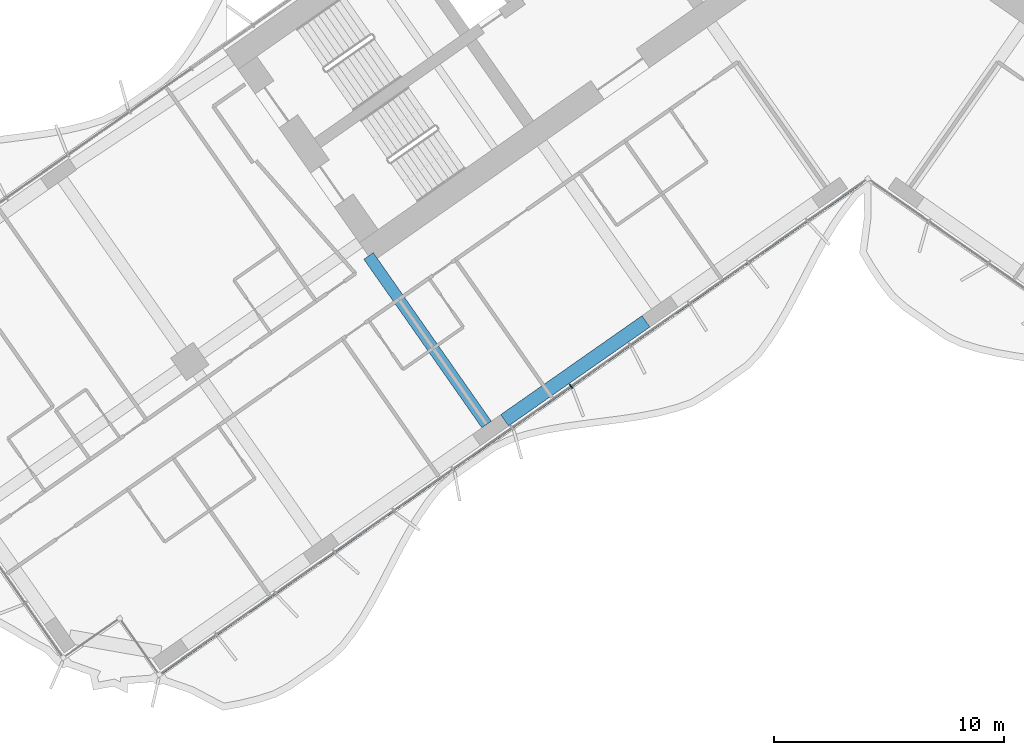
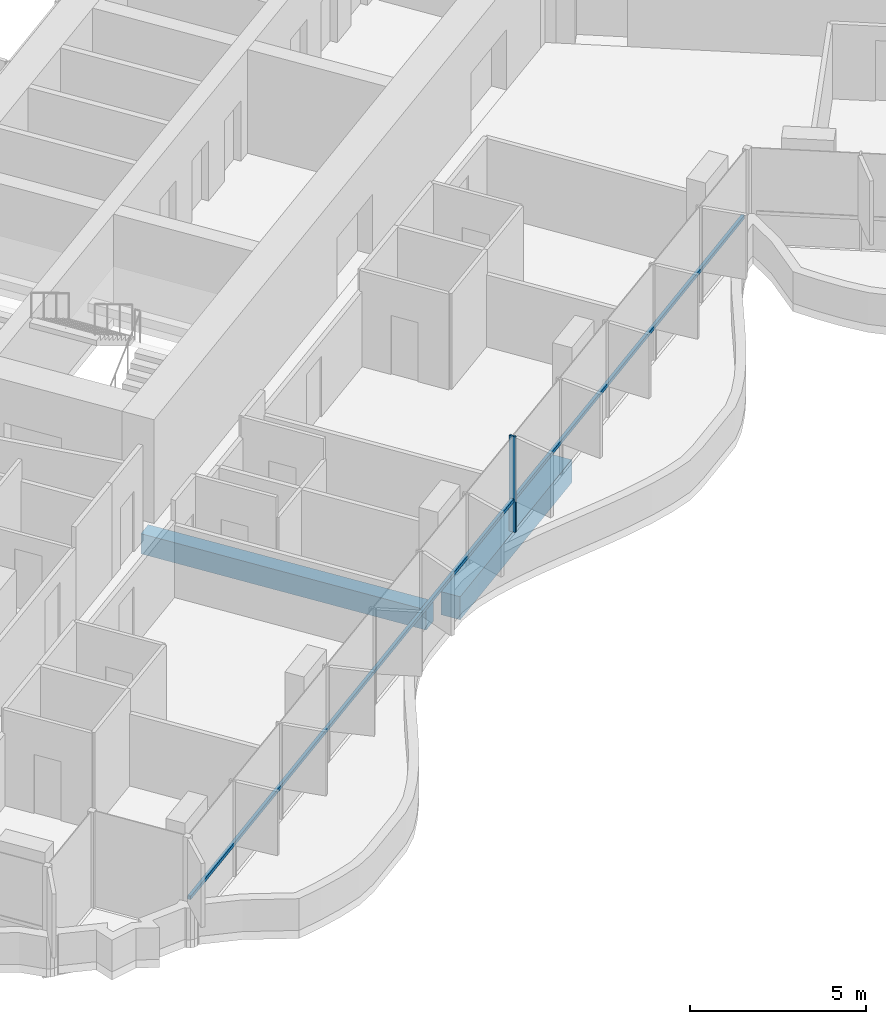
# One storey, part 3 of 23: 2 beams, 2 members, 1 element without a shape of its own.
"""IFC4 building model written with IfcOpenShell, lengths in metres."""

from ifc_helpers import new_model, si_unit, direction, frame, origin, origin_2d, place, context, subcontext, project, spatial, rectangle, extrude, material, material_profile, profile_set, type_object, element, aggregate, save


model = new_model("IFC4")

# Units and contexts
model_context = context("Model", 3, precision=1e-05, world=origin(), true_north=direction((0.0, 1.0)))
body_context = subcontext(model_context, "Body", "Model", "MODEL_VIEW")
ifc_project = project(units=[si_unit("LENGTHUNIT", "METRE"), si_unit("AREAUNIT", "SQUARE_METRE"), si_unit("VOLUMEUNIT", "CUBIC_METRE"), si_unit("PLANEANGLEUNIT", "RADIAN"), si_unit("MASSUNIT", "GRAM", prefix="KILO")], contexts=[model_context])

# Site, building, storey
site_placement = place(None, origin())
site = spatial("IfcSite", under=ifc_project, at=site_placement, CompositionType="ELEMENT")
building_placement = place(site_placement, origin())
building = spatial("IfcBuilding", under=site, at=building_placement, Name="Tel Ilan Convention Tower", CompositionType="ELEMENT")
storey_placement = place(building_placement, frame((0.0, 0.0, 86.89990234375)))
storey = spatial("IfcBuildingStorey", under=building, at=storey_placement, Name="L17", CompositionType="ELEMENT", Elevation=86.89990234375)

# Beams
ifc_material_1 = material(Name="Concrete C40/50", Category="concrete")
ifc_material_profile_1 = material_profile(ifc_material_1, rectangle(XDim=0.5, YDim=0.699951171875, at=origin_2d()), Name="RC 500x700")
ifc_profile_set_1 = profile_set([ifc_material_profile_1], Name="Concrete C40/50")
beam_type_1 = type_object("IfcBeamType", Name="Beam RC 500x700 Concrete C40/50", PredefinedType="BEAM", material=ifc_profile_set_1)
beam_1_placement = place(storey_placement, frame((-16.58203125, -23.391357421875, -0.6298828125), z_axis=(-0.573584999642, 0.819146048141, 0.0), x_axis=(-0.819146048141, -0.573584999642, 0.0)))
element("IfcBeam", 1, at=beam_1_placement, inside=storey, type_object=beam_type_1, Name="L17 beam W-W-F3-core", PredefinedType="BEAM", context=body_context, shape_type="SweptSolid", body=[
    extrude(rectangle(XDim=0.5, YDim=0.699951171875, at=origin_2d()), origin(), (0.0, 0.0, 1.0), 8.949951171875),
])
ifc_material_2 = material(Name="Concrete C40/50", Category="concrete")
ifc_material_profile_2 = material_profile(ifc_material_2, rectangle(XDim=0.60009765625, YDim=0.800048828125, at=origin_2d()), Name="RC 600x800")
ifc_profile_set_2 = profile_set([ifc_material_profile_2], Name="Concrete C40/50")
beam_type_2 = type_object("IfcBeamType", Name="Beam RC 600x800 Concrete C40/50", PredefinedType="BEAM", material=ifc_profile_set_2)
beam_2_placement = place(storey_placement, frame((-9.652099609375, -18.905029296875, -0.679931640625), z_axis=(-0.81915238829, -0.573575945067, 0.0), x_axis=(0.573575945067, -0.81915238829, 0.0)))
element("IfcBeam", 2, at=beam_2_placement, inside=storey, type_object=beam_type_2, Name="L17 beam W-W-F2-W-F3", PredefinedType="BEAM", context=body_context, shape_type="SweptSolid", body=[
    extrude(rectangle(XDim=0.60009765625, YDim=0.800048828125, at=origin_2d()), origin(), (0.0, 0.0, 1.0), 7.5),
])

# Curtain wall, members
ifc_material_3 = material(Name="Aluminium, bronze anodised", Category="aluminium")
curtain_wall_type = type_object("IfcCurtainWallType", Name="CW1 UNITISED CURTAIN WALL, HOTEL TINTED GLASS", PredefinedType="NOTDEFINED", material=ifc_material_3)
curtain_wall_placement = place(storey_placement, origin())
curtain_wall = element("IfcCurtainWall", 3, at=curtain_wall_placement, inside=storey, type_object=curtain_wall_type, Name="Curtain wall CW1-15.02", PredefinedType="NOTDEFINED")
ifc_material_4 = material(Name="Aluminium, bronze anodised", Category="aluminium")
ifc_material_profile_3 = material_profile(ifc_material_4, rectangle(XDim=0.06005859375, YDim=0.199951171875, at=origin_2d()), Name="CW MULLION 60x200")
ifc_profile_set_3 = profile_set([ifc_material_profile_3], Name="Aluminium, bronze anodised")
member_type_1 = type_object("IfcMemberType", Name="CW MULLION 60x200", PredefinedType="MULLION", material=ifc_profile_set_3)
member_1_placement = place(storey_placement, frame((-12.906982421875, -21.733642578125, 0.0), z_axis=(0.0, 0.0, 1.0), x_axis=(0.819152044289, 0.573576436351, 0.0)))
member_1 = element("IfcMember", 4, at=member_1_placement, type_object=member_type_1, Name="Mullion", PredefinedType="MULLION", context=body_context, shape_type="SweptSolid", body=[
    extrude(rectangle(XDim=0.06005859375, YDim=0.199951171875, at=origin_2d()), origin(), (0.0, 0.0, 1.0), 3.320068359375),
])
ifc_material_5 = material(Name="Aluminium, bronze anodised", Category="aluminium")
ifc_material_profile_4 = material_profile(ifc_material_5, rectangle(XDim=0.10009765625, YDim=0.1201171875, at=origin_2d()), Name="CW TRANSOM 100x120")
ifc_profile_set_4 = profile_set([ifc_material_profile_4], Name="Aluminium, bronze anodised")
member_type_2 = type_object("IfcMemberType", Name="CW TRANSOM 100x120", PredefinedType="USERDEFINED", material=ifc_profile_set_4)
member_2_placement = place(storey_placement, frame((-30.73291015625, -34.21533203125, 1.10009765625), z_axis=(0.819152467103, 0.57357583251, 0.0), x_axis=(-0.57357583251, 0.819152467103, 0.0)))
member_2 = element("IfcMember", 5, at=member_2_placement, type_object=member_type_2, Name="Transom", ObjectType="TRANSOM", PredefinedType="USERDEFINED", context=body_context, shape_type="SweptSolid", body=[
    extrude(rectangle(XDim=0.10009765625, YDim=0.1201171875, at=origin_2d()), origin(), (0.0, 0.0, 1.0), 37.247802734375),
])
aggregate(curtain_wall, [member_1, member_2])

save(model, "model.ifc")
